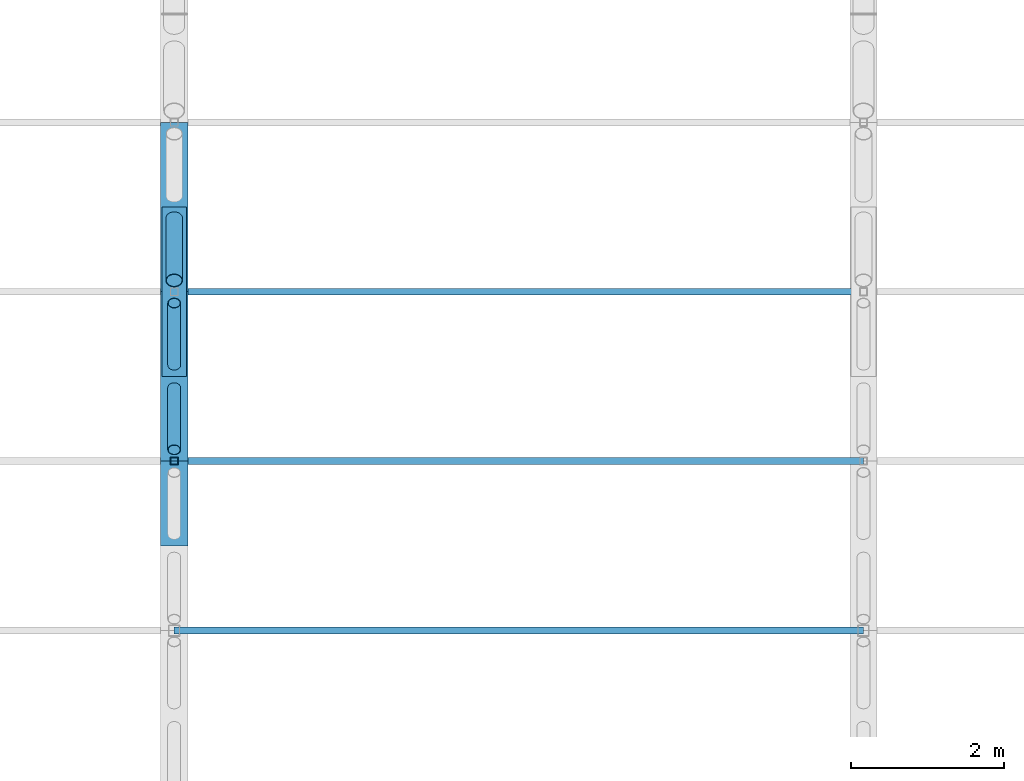
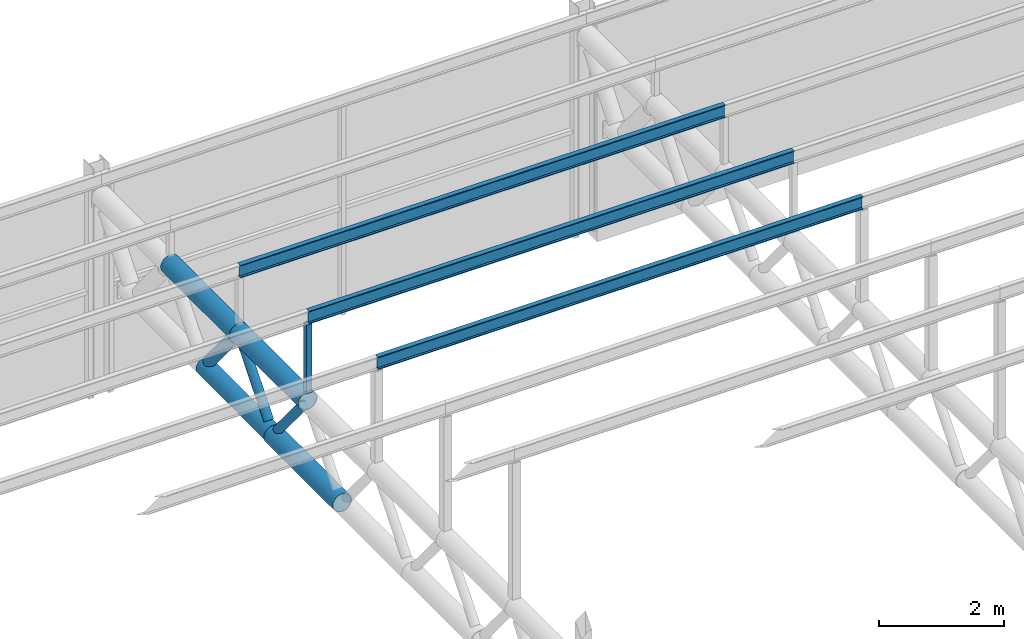
# One storey, part 31 of 138: 11 members.
"""IFC4 building model written with IfcOpenShell, lengths in metres."""

from ifc_helpers import new_model, si_unit, direction, frame, origin, origin_2d, place, context, subcontext, project, spatial, hollow_rectangle, hollow_circle, i_section, extrude, material, material_profile, profile_set, type_object, element, save


model = new_model("IFC4")

# Units and contexts
model_context = context("Model", 3, precision=1e-05, world=origin(), true_north=direction((0.0, 1.0)))
body_context = subcontext(model_context, "Body", "Model", "MODEL_VIEW")
ifc_project = project(units=[si_unit("LENGTHUNIT", "METRE"), si_unit("AREAUNIT", "SQUARE_METRE"), si_unit("VOLUMEUNIT", "CUBIC_METRE"), si_unit("PLANEANGLEUNIT", "RADIAN"), si_unit("MASSUNIT", "GRAM", prefix="KILO")], contexts=[model_context])

# Site, building, storey
site_placement = place(None, origin())
site = spatial("IfcSite", under=ifc_project, at=site_placement, CompositionType="ELEMENT")
building_placement = place(site_placement, origin())
building = spatial("IfcBuilding", under=site, at=building_placement, Name="Corbel Yard City Hall", CompositionType="ELEMENT")
storey_placement = place(building_placement, frame((0.0, 0.0, 10.5)))
storey = spatial("IfcBuildingStorey", under=building, at=storey_placement, Name="L02", CompositionType="ELEMENT", Elevation=10.5)

# Members
ifc_material_1 = material(Name="Steel Grade C350L0", Category="steel")
ifc_material_profile_1 = material_profile(ifc_material_1, hollow_circle(Radius=0.161865234375, WallThickness=0.0126953125, at=origin_2d()), Name="323.9x12.7CHS")
ifc_profile_set_1 = profile_set([ifc_material_profile_1], Name="Steel Grade C350L0")
member_type_1 = type_object("IfcMemberType", Name="Hall roof truss bottom chord 323.9x12.7CHS", PredefinedType="CHORD", material=ifc_profile_set_1)
member_1_placement = place(storey_placement, frame((27.0, 21.31787109375, 2.59228515625), z_axis=(0.0, 1.0, 0.0), x_axis=(-1.0, 0.0, 0.0)))
element("IfcMember", 1, at=member_1_placement, inside=storey, type_object=member_type_1, Name="Hall roof truss bottom chord 323.9x12.7CHS TC2", PredefinedType="CHORD", context=body_context, shape_type="SweptSolid", body=[
    extrude(hollow_circle(Radius=0.161865234375, WallThickness=0.0126953125, at=origin_2d()), origin(), (0.0, 0.0, 1.0), 2.2119140625),
])
ifc_material_profile_2 = material_profile(ifc_material_1, hollow_circle(Radius=0.177734375, WallThickness=0.0126953125, at=origin_2d()), Name="355.6x12.7CHS")
ifc_profile_set_2 = profile_set([ifc_material_profile_2], Name="Steel Grade C350L0")
member_type_2 = type_object("IfcMemberType", Name="Hall roof truss bottom chord 355.6x12.7CHS", PredefinedType="CHORD", material=ifc_profile_set_2)
member_2_placement = place(storey_placement, frame((27.0, 19.10595703125, 2.59228515625), z_axis=(0.0, 1.0, 0.0), x_axis=(-1.0, 0.0, 0.0)))
element("IfcMember", 2, at=member_2_placement, inside=storey, type_object=member_type_2, Name="Hall roof truss bottom chord 355.6x12.7CHS TC3", PredefinedType="CHORD", context=body_context, shape_type="SweptSolid", body=[
    extrude(hollow_circle(Radius=0.177734375, WallThickness=0.0126953125, at=origin_2d()), origin(), (0.0, 0.0, 1.0), 2.2119140625),
])
ifc_material_profile_3 = material_profile(ifc_material_1, hollow_circle(Radius=0.084228515625, WallThickness=0.007080078125, at=origin_2d()), Name="168.3x7.1CHS")
ifc_profile_set_3 = profile_set([ifc_material_profile_3], Name="Steel Grade C350L0")
member_type_3 = type_object("IfcMemberType", Name="Hall roof truss diagonal 168.3x7.1CHS", PredefinedType="STRUT", material=ifc_profile_set_3)
for number, where, z_axis, x_axis, name in (
    (3, (27.0, 20.359619140625, 3.744384765625), (0.0, 0.639407153698, -0.768868318894), (-1.0, 0.0, 0.0), "Hall roof truss diagonal 168.3x7.1CHS TD3"),
    (4, (27.0, 21.465576171875, 2.77001953125), (0.0, 0.639407153698, 0.768868318894), (-1.0, 0.0, 0.0), "Hall roof truss diagonal 168.3x7.1CHS TD3"),
):
    element("IfcMember", number, at=place(storey_placement, frame(where, z_axis=z_axis, x_axis=x_axis)), inside=storey, type_object=member_type_3, Name=name, PredefinedType="STRUT", context=body_context, shape_type="SweptSolid", body=[
        extrude(hollow_circle(Radius=0.084228515625, WallThickness=0.007080078125, at=origin_2d()), origin(), (0.0, 0.0, 1.0), 1.267333984375),
    ])
ifc_material_profile_4 = material_profile(ifc_material_1, hollow_circle(Radius=0.109619140625, WallThickness=0.00830078125, at=origin_2d()), Name="219.1x8.2CHS")
ifc_profile_set_4 = profile_set([ifc_material_profile_4], Name="Steel Grade C350L0")
member_type_4 = type_object("IfcMemberType", Name="Hall roof truss diagonal 219.1x8.2CHS", PredefinedType="STRUT", material=ifc_profile_set_4)
member_3_placement = place(storey_placement, frame((27.0, 22.571533203125, 3.744384765625), z_axis=(0.0, 0.639407153698, -0.768868318894), x_axis=(-1.0, 0.0, 0.0)))
element("IfcMember", 5, at=member_3_placement, inside=storey, type_object=member_type_4, Name="Hall roof truss diagonal 219.1x8.2CHS TD2", PredefinedType="STRUT", context=body_context, shape_type="SweptSolid", body=[
    extrude(hollow_circle(Radius=0.109619140625, WallThickness=0.00830078125, at=origin_2d()), origin(), (0.0, 0.0, 1.0), 1.267333984375),
])
ifc_material_profile_5 = material_profile(ifc_material_1, hollow_circle(Radius=0.177734375, WallThickness=0.0126953125, at=origin_2d()), Name="355.6x12.7CHS")
ifc_profile_set_5 = profile_set([ifc_material_profile_5], Name="Steel Grade C350L0")
member_type_5 = type_object("IfcMemberType", Name="Hall roof truss top chord 355.6x12.7CHS", PredefinedType="CHORD", material=ifc_profile_set_5)
for number, where, z_axis, x_axis, name in (
    (6, (27.0, 20.2119140625, 3.922119140625), (0.0, 1.0, 0.0), (-1.0, 0.0, 0.0), "Hall roof truss top chord 355.6x12.7CHS TC1"),
    (7, (27.0, 22.423828125, 3.922119140625), (0.0, 1.0, 0.0), (-1.0, 0.0, 0.0), "Hall roof truss top chord 355.6x12.7CHS TC1"),
):
    element("IfcMember", number, at=place(storey_placement, frame(where, z_axis=z_axis, x_axis=x_axis)), inside=storey, type_object=member_type_5, Name=name, PredefinedType="CHORD", context=body_context, shape_type="SweptSolid", body=[
        extrude(hollow_circle(Radius=0.177734375, WallThickness=0.0126953125, at=origin_2d()), origin(), (0.0, 0.0, 1.0), 2.2119140625),
    ])
ifc_material_2 = material(Name="Steel Grade 300 (300 MPa yield)", Category="steel")
ifc_material_profile_6 = material_profile(ifc_material_2, i_section(OverallWidth=0.090087890625, OverallDepth=0.25, WebThickness=0.008056640625, FlangeThickness=0.014892578125, at=origin_2d()), Name="250PFC")
ifc_profile_set_6 = profile_set([ifc_material_profile_6], Name="Steel Grade 300 (300 MPa yield)")
member_type_6 = type_object("IfcMemberType", Name="Purlin 250PFC", PredefinedType="PURLIN", material=ifc_profile_set_6)
for number, where, z_axis, x_axis, name in (
    (8, (27.0, 18.0, 6.01611328125), (1.0, 0.0, 0.0), (0.0, 1.0, 0.0), "Purlin 250PFC PU1"),
    (9, (27.0, 20.2119140625, 5.57373046875), (1.0, 0.0, 0.0), (0.0, 1.0, 0.0), "Purlin 250PFC PU1"),
    (10, (27.0, 22.423828125, 5.13134765625), (1.0, 0.0, 0.0), (0.0, 1.0, 0.0), "Purlin 250PFC PU1"),
):
    element("IfcMember", number, at=place(storey_placement, frame(where, z_axis=z_axis, x_axis=x_axis)), inside=storey, type_object=member_type_6, Name=name, PredefinedType="PURLIN", context=body_context, shape_type="SweptSolid", body=[
        extrude(i_section(OverallWidth=0.090087890625, OverallDepth=0.25, WebThickness=0.008056640625, FlangeThickness=0.014892578125, at=origin_2d()), origin(), (0.0, 0.0, 1.0), 9.0),
    ])
ifc_material_3 = material(Name="Steel Grade C450L0", Category="steel")
ifc_material_profile_7 = material_profile(ifc_material_3, hollow_rectangle(XDim=0.10009765625, YDim=0.10009765625, WallThickness=0.006103515625, at=origin_2d()), Name="100x100x6.0SHS")
ifc_profile_set_7 = profile_set([ifc_material_profile_7], Name="Steel Grade C450L0")
member_type_7 = type_object("IfcMemberType", Name="Roof post 100x100x6.0SHS", PredefinedType="POST", material=ifc_profile_set_7)
member_4_placement = place(storey_placement, frame((27.0, 20.2119140625, 4.10009765625), z_axis=(0.0, 0.0, 1.0), x_axis=(1.0, 0.0, 0.0)))
element("IfcMember", 11, at=member_4_placement, inside=storey, type_object=member_type_7, Name="Roof post 100x100x6.0SHS RP3", PredefinedType="POST", context=body_context, shape_type="SweptSolid", body=[
    extrude(hollow_rectangle(XDim=0.10009765625, YDim=0.10009765625, WallThickness=0.006103515625, at=origin_2d()), origin(), (0.0, 0.0, 1.0), 1.3486328125),
])

save(model, "model.ifc")
